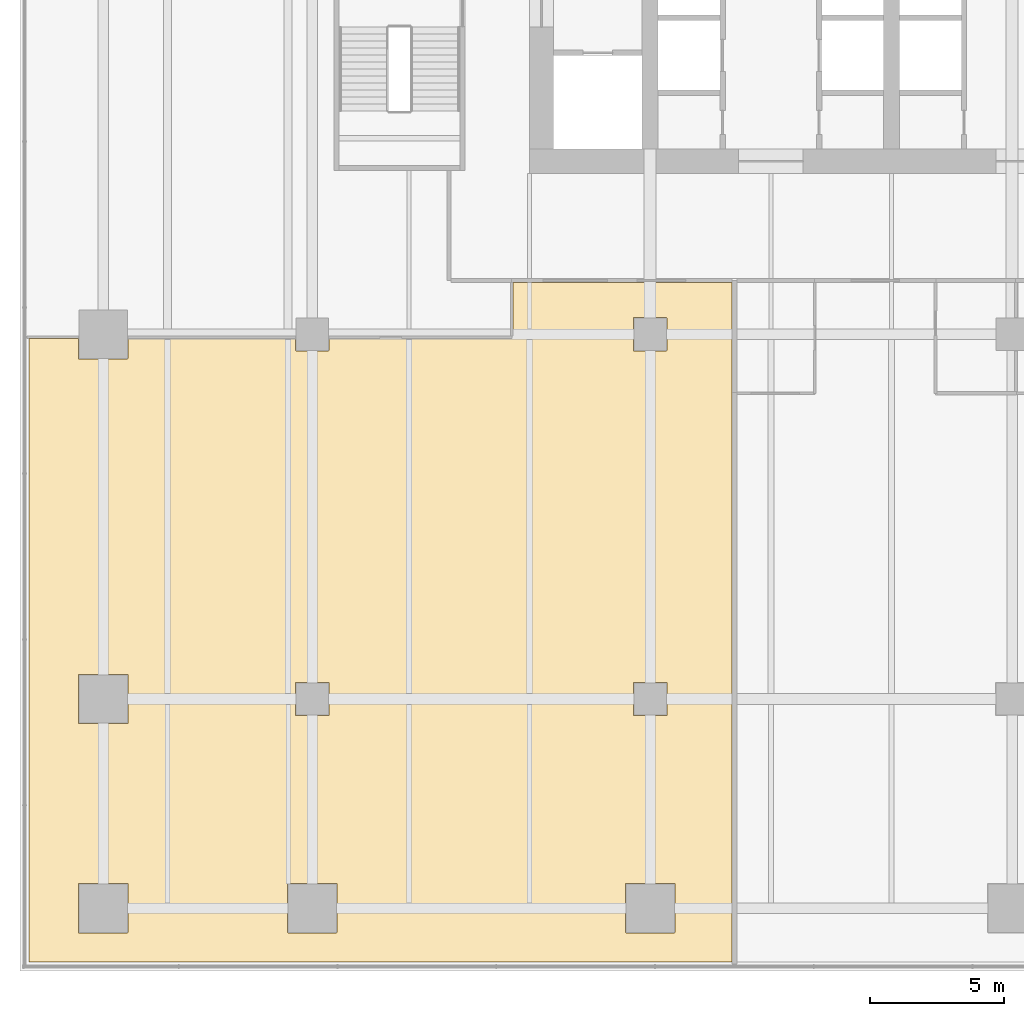
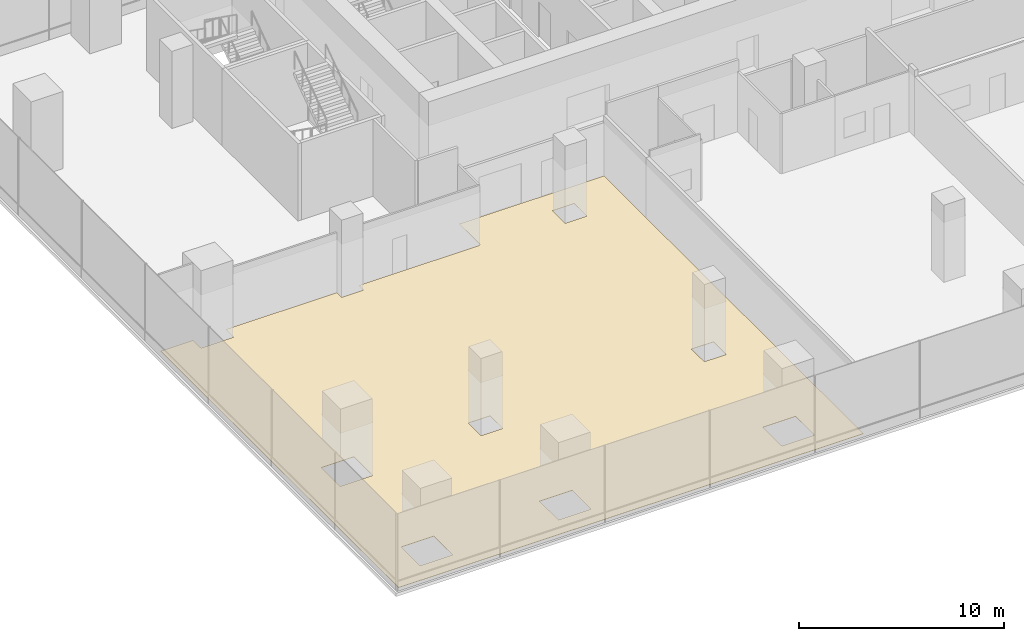
# One storey, part 23 of 28: 1 covering.
"""IFC4 building model written with IfcOpenShell, lengths in metres."""

from ifc_helpers import new_model, si_unit, direction, frame, origin, place, context, subcontext, project, spatial, polyline, outline, extrude, material, layer, layer_set, type_object, element, save


model = new_model("IFC4")

# Units and contexts
model_context = context("Model", 3, precision=1e-05, world=origin(), true_north=direction((0.0, 1.0)))
body_context = subcontext(model_context, "Body", "Model", "MODEL_VIEW")
ifc_project = project(units=[si_unit("LENGTHUNIT", "METRE"), si_unit("AREAUNIT", "SQUARE_METRE"), si_unit("VOLUMEUNIT", "CUBIC_METRE"), si_unit("PLANEANGLEUNIT", "RADIAN"), si_unit("MASSUNIT", "GRAM", prefix="KILO")], contexts=[model_context])

# Site, building, storey
site_placement = place(None, origin())
site = spatial("IfcSite", under=ifc_project, at=site_placement, CompositionType="ELEMENT")
building_placement = place(site_placement, origin())
building = spatial("IfcBuilding", under=site, at=building_placement, Name="Rattan Terrace Tower", CompositionType="ELEMENT")
storey_placement = place(building_placement, frame((0.0, 0.0, 17.39990234375)))
storey = spatial("IfcBuildingStorey", under=building, at=storey_placement, Name="L03", CompositionType="ELEMENT", Elevation=17.39990234375)

# Covering
ifc_material = material(Name="Polished limestone", Category="masonry")
ifc_layer = layer(ifc_material, 0.02001953125)
ifc_layer_set = layer_set([ifc_layer], Name="Lobby Floor Finish Stone 20")
covering_type = type_object("IfcCoveringType", Name="Lobby Floor Finish Stone 20", PredefinedType="FLOORING", material=ifc_layer_set)
covering_placement = place(storey_placement, origin())
element("IfcCovering", 1, at=covering_placement, inside=storey, type_object=covering_type, Name="Floor finish L03-105", PredefinedType="FLOORING", context=body_context, shape_type="SweptSolid", body=[
    extrude(outline(polyline([(-34.820068359375, -13.656005859375), (-36.659912109375, -13.656005859375), (-36.659912109375, -36.909912109375), (-10.449951171875, -36.909912109375), (-10.449951171875, -11.574951171875), (-18.610107421875, -11.574951171875), (-18.610107421875, -13.60595703125), (-18.659912109375, -13.60595703125), (-18.659912109375, -13.656005859375), (-25.47998046875, -13.656005859375), (-25.47998046875, -14.10009765625), (-25.47998046875, -14.10205078125), (-25.47998046875, -14.10400390625), (-25.48095703125, -14.10595703125), (-25.48095703125, -14.10791015625), (-25.48193359375, -14.110107421875), (-25.48291015625, -14.111083984375), (-25.48388671875, -14.113037109375), (-25.486083984375, -14.114013671875), (-25.487060546875, -14.115966796875), (-25.489013671875, -14.116943359375), (-25.489990234375, -14.117919921875), (-25.491943359375, -14.118896484375), (-25.493896484375, -14.118896484375), (-25.49609375, -14.1201171875), (-25.498046875, -14.1201171875), (-25.5, -14.1201171875), (-26.699951171875, -14.1201171875), (-26.701904296875, -14.1201171875), (-26.7041015625, -14.1201171875), (-26.7060546875, -14.118896484375), (-26.7080078125, -14.118896484375), (-26.7099609375, -14.117919921875), (-26.7109375, -14.116943359375), (-26.712890625, -14.115966796875), (-26.714111328125, -14.114013671875), (-26.716064453125, -14.113037109375), (-26.717041015625, -14.111083984375), (-26.718017578125, -14.110107421875), (-26.718994140625, -14.10791015625), (-26.718994140625, -14.10595703125), (-26.719970703125, -14.10400390625), (-26.719970703125, -14.10205078125), (-26.719970703125, -14.10009765625), (-26.719970703125, -13.656005859375), (-32.97998046875, -13.656005859375), (-32.97998046875, -14.39990234375), (-32.97998046875, -14.402099609375), (-32.97998046875, -14.404052734375), (-32.98095703125, -14.406005859375), (-32.98095703125, -14.407958984375), (-32.98193359375, -14.409912109375), (-32.98291015625, -14.410888671875), (-32.98388671875, -14.4130859375), (-32.986083984375, -14.4140625), (-32.987060546875, -14.416015625), (-32.989013671875, -14.4169921875), (-32.989990234375, -14.41796875), (-32.991943359375, -14.4189453125), (-32.993896484375, -14.4189453125), (-32.99609375, -14.419921875), (-32.998046875, -14.419921875), (-33.0, -14.419921875), (-34.800048828125, -14.419921875), (-34.802001953125, -14.419921875), (-34.803955078125, -14.419921875), (-34.805908203125, -14.4189453125), (-34.80810546875, -14.4189453125), (-34.81005859375, -14.41796875), (-34.81103515625, -14.4169921875), (-34.81298828125, -14.416015625), (-34.81396484375, -14.4140625), (-34.81591796875, -14.4130859375), (-34.81689453125, -14.410888671875), (-34.818115234375, -14.409912109375), (-34.819091796875, -14.407958984375), (-34.819091796875, -14.406005859375), (-34.820068359375, -14.404052734375), (-34.820068359375, -14.402099609375), (-34.820068359375, -14.39990234375), (-34.820068359375, -13.656005859375)]), holes=[polyline([(-14.409912109375, -35.818115234375), (-14.407958984375, -35.819091796875), (-14.406005859375, -35.819091796875), (-14.404052734375, -35.820068359375), (-14.402099609375, -35.820068359375), (-14.39990234375, -35.820068359375), (-12.60009765625, -35.820068359375), (-12.597900390625, -35.820068359375), (-12.595947265625, -35.820068359375), (-12.593994140625, -35.819091796875), (-12.592041015625, -35.819091796875), (-12.590087890625, -35.818115234375), (-12.589111328125, -35.81689453125), (-12.5869140625, -35.81591796875), (-12.5859375, -35.81396484375), (-12.583984375, -35.81298828125), (-12.5830078125, -35.81103515625), (-12.58203125, -35.81005859375), (-12.5810546875, -35.80810546875), (-12.5810546875, -35.805908203125), (-12.580078125, -35.803955078125), (-12.580078125, -35.802001953125), (-12.580078125, -35.800048828125), (-12.580078125, -34.0), (-12.580078125, -33.998046875), (-12.580078125, -33.99609375), (-12.5810546875, -33.993896484375), (-12.5810546875, -33.991943359375), (-12.58203125, -33.989990234375), (-12.5830078125, -33.989013671875), (-12.583984375, -33.987060546875), (-12.5859375, -33.986083984375), (-12.5869140625, -33.98388671875), (-12.589111328125, -33.98291015625), (-12.590087890625, -33.98193359375), (-12.592041015625, -33.98095703125), (-12.593994140625, -33.98095703125), (-12.595947265625, -33.97998046875), (-12.597900390625, -33.97998046875), (-12.60009765625, -33.97998046875), (-14.39990234375, -33.97998046875), (-14.402099609375, -33.97998046875), (-14.404052734375, -33.97998046875), (-14.406005859375, -33.98095703125), (-14.407958984375, -33.98095703125), (-14.409912109375, -33.98193359375), (-14.410888671875, -33.98291015625), (-14.4130859375, -33.98388671875), (-14.4140625, -33.986083984375), (-14.416015625, -33.987060546875), (-14.4169921875, -33.989013671875), (-14.41796875, -33.989990234375), (-14.4189453125, -33.991943359375), (-14.4189453125, -33.993896484375), (-14.419921875, -33.99609375), (-14.419921875, -33.998046875), (-14.419921875, -34.0), (-14.419921875, -35.800048828125), (-14.419921875, -35.802001953125), (-14.419921875, -35.803955078125), (-14.4189453125, -35.805908203125), (-14.4189453125, -35.80810546875), (-14.41796875, -35.81005859375), (-14.4169921875, -35.81103515625), (-14.416015625, -35.81298828125), (-14.4140625, -35.81396484375), (-14.4130859375, -35.81591796875), (-14.410888671875, -35.81689453125), (-14.409912109375, -35.818115234375)]), polyline([(-14.110107421875, -27.718017578125), (-14.10791015625, -27.718994140625), (-14.10595703125, -27.718994140625), (-14.10400390625, -27.719970703125), (-14.10205078125, -27.719970703125), (-14.10009765625, -27.719970703125), (-12.89990234375, -27.719970703125), (-12.89794921875, -27.719970703125), (-12.89599609375, -27.719970703125), (-12.89404296875, -27.718994140625), (-12.89208984375, -27.718994140625), (-12.889892578125, -27.718017578125), (-12.888916015625, -27.717041015625), (-12.886962890625, -27.716064453125), (-12.885986328125, -27.714111328125), (-12.884033203125, -27.712890625), (-12.883056640625, -27.7109375), (-12.882080078125, -27.7099609375), (-12.881103515625, -27.7080078125), (-12.881103515625, -27.7060546875), (-12.8798828125, -27.7041015625), (-12.8798828125, -27.701904296875), (-12.8798828125, -27.699951171875), (-12.8798828125, -26.5), (-12.8798828125, -26.498046875), (-12.8798828125, -26.49609375), (-12.881103515625, -26.493896484375), (-12.881103515625, -26.491943359375), (-12.882080078125, -26.489990234375), (-12.883056640625, -26.489013671875), (-12.884033203125, -26.487060546875), (-12.885986328125, -26.486083984375), (-12.886962890625, -26.48388671875), (-12.888916015625, -26.48291015625), (-12.889892578125, -26.48193359375), (-12.89208984375, -26.48095703125), (-12.89404296875, -26.48095703125), (-12.89599609375, -26.47998046875), (-12.89794921875, -26.47998046875), (-12.89990234375, -26.47998046875), (-14.10009765625, -26.47998046875), (-14.10205078125, -26.47998046875), (-14.10400390625, -26.47998046875), (-14.10595703125, -26.48095703125), (-14.10791015625, -26.48095703125), (-14.110107421875, -26.48193359375), (-14.111083984375, -26.48291015625), (-14.113037109375, -26.48388671875), (-14.114013671875, -26.486083984375), (-14.115966796875, -26.487060546875), (-14.116943359375, -26.489013671875), (-14.117919921875, -26.489990234375), (-14.118896484375, -26.491943359375), (-14.118896484375, -26.493896484375), (-14.1201171875, -26.49609375), (-14.1201171875, -26.498046875), (-14.1201171875, -26.5), (-14.1201171875, -27.699951171875), (-14.1201171875, -27.701904296875), (-14.1201171875, -27.7041015625), (-14.118896484375, -27.7060546875), (-14.118896484375, -27.7080078125), (-14.117919921875, -27.7099609375), (-14.116943359375, -27.7109375), (-14.115966796875, -27.712890625), (-14.114013671875, -27.714111328125), (-14.113037109375, -27.716064453125), (-14.111083984375, -27.717041015625), (-14.110107421875, -27.718017578125)]), polyline([(-14.116943359375, -14.111083984375), (-14.115966796875, -14.113037109375), (-14.114013671875, -14.114013671875), (-14.113037109375, -14.115966796875), (-14.111083984375, -14.116943359375), (-14.110107421875, -14.117919921875), (-14.10791015625, -14.118896484375), (-14.10595703125, -14.118896484375), (-14.10400390625, -14.1201171875), (-14.10205078125, -14.1201171875), (-14.10009765625, -14.1201171875), (-12.89990234375, -14.1201171875), (-12.89794921875, -14.1201171875), (-12.89599609375, -14.1201171875), (-12.89404296875, -14.118896484375), (-12.89208984375, -14.118896484375), (-12.889892578125, -14.117919921875), (-12.888916015625, -14.116943359375), (-12.886962890625, -14.115966796875), (-12.885986328125, -14.114013671875), (-12.884033203125, -14.113037109375), (-12.883056640625, -14.111083984375), (-12.882080078125, -14.110107421875), (-12.881103515625, -14.10791015625), (-12.881103515625, -14.10595703125), (-12.8798828125, -14.10400390625), (-12.8798828125, -14.10205078125), (-12.8798828125, -14.10009765625), (-12.8798828125, -12.89990234375), (-12.8798828125, -12.89794921875), (-12.8798828125, -12.89599609375), (-12.881103515625, -12.89404296875), (-12.881103515625, -12.89208984375), (-12.882080078125, -12.889892578125), (-12.883056640625, -12.888916015625), (-12.884033203125, -12.886962890625), (-12.885986328125, -12.885986328125), (-12.886962890625, -12.884033203125), (-12.888916015625, -12.883056640625), (-12.889892578125, -12.882080078125), (-12.89208984375, -12.881103515625), (-12.89404296875, -12.881103515625), (-12.89599609375, -12.8798828125), (-12.89794921875, -12.8798828125), (-12.89990234375, -12.8798828125), (-14.10009765625, -12.8798828125), (-14.10205078125, -12.8798828125), (-14.10400390625, -12.8798828125), (-14.10595703125, -12.881103515625), (-14.10791015625, -12.881103515625), (-14.110107421875, -12.882080078125), (-14.111083984375, -12.883056640625), (-14.113037109375, -12.884033203125), (-14.114013671875, -12.885986328125), (-14.115966796875, -12.886962890625), (-14.116943359375, -12.888916015625), (-14.117919921875, -12.889892578125), (-14.118896484375, -12.89208984375), (-14.118896484375, -12.89404296875), (-14.1201171875, -12.89599609375), (-14.1201171875, -12.89794921875), (-14.1201171875, -12.89990234375), (-14.1201171875, -14.10009765625), (-14.1201171875, -14.10205078125), (-14.1201171875, -14.10400390625), (-14.118896484375, -14.10595703125), (-14.118896484375, -14.10791015625), (-14.117919921875, -14.110107421875), (-14.116943359375, -14.111083984375)]), polyline([(-27.010009765625, -35.818115234375), (-27.008056640625, -35.819091796875), (-27.006103515625, -35.819091796875), (-27.00390625, -35.820068359375), (-27.001953125, -35.820068359375), (-27.0, -35.820068359375), (-25.199951171875, -35.820068359375), (-25.197998046875, -35.820068359375), (-25.196044921875, -35.820068359375), (-25.194091796875, -35.819091796875), (-25.19189453125, -35.819091796875), (-25.18994140625, -35.818115234375), (-25.18896484375, -35.81689453125), (-25.18701171875, -35.81591796875), (-25.18603515625, -35.81396484375), (-25.18408203125, -35.81298828125), (-25.18310546875, -35.81103515625), (-25.181884765625, -35.81005859375), (-25.180908203125, -35.80810546875), (-25.180908203125, -35.805908203125), (-25.179931640625, -35.803955078125), (-25.179931640625, -35.802001953125), (-25.179931640625, -35.800048828125), (-25.179931640625, -34.0), (-25.179931640625, -33.998046875), (-25.179931640625, -33.99609375), (-25.180908203125, -33.993896484375), (-25.180908203125, -33.991943359375), (-25.181884765625, -33.989990234375), (-25.18310546875, -33.989013671875), (-25.18408203125, -33.987060546875), (-25.18603515625, -33.986083984375), (-25.18701171875, -33.98388671875), (-25.18896484375, -33.98291015625), (-25.18994140625, -33.98193359375), (-25.19189453125, -33.98095703125), (-25.194091796875, -33.98095703125), (-25.196044921875, -33.97998046875), (-25.197998046875, -33.97998046875), (-25.199951171875, -33.97998046875), (-27.0, -33.97998046875), (-27.001953125, -33.97998046875), (-27.00390625, -33.97998046875), (-27.006103515625, -33.98095703125), (-27.008056640625, -33.98095703125), (-27.010009765625, -33.98193359375), (-27.010986328125, -33.98291015625), (-27.012939453125, -33.98388671875), (-27.013916015625, -33.986083984375), (-27.01611328125, -33.987060546875), (-27.01708984375, -33.989013671875), (-27.01806640625, -33.989990234375), (-27.01904296875, -33.991943359375), (-27.01904296875, -33.993896484375), (-27.02001953125, -33.99609375), (-27.02001953125, -33.998046875), (-27.02001953125, -34.0), (-27.02001953125, -35.800048828125), (-27.02001953125, -35.802001953125), (-27.02001953125, -35.803955078125), (-27.01904296875, -35.805908203125), (-27.01904296875, -35.80810546875), (-27.01806640625, -35.81005859375), (-27.01708984375, -35.81103515625), (-27.01611328125, -35.81298828125), (-27.013916015625, -35.81396484375), (-27.012939453125, -35.81591796875), (-27.010986328125, -35.81689453125), (-27.010009765625, -35.818115234375)]), polyline([(-26.7099609375, -27.718017578125), (-26.7080078125, -27.718994140625), (-26.7060546875, -27.718994140625), (-26.7041015625, -27.719970703125), (-26.701904296875, -27.719970703125), (-26.699951171875, -27.719970703125), (-25.5, -27.719970703125), (-25.498046875, -27.719970703125), (-25.49609375, -27.719970703125), (-25.493896484375, -27.718994140625), (-25.491943359375, -27.718994140625), (-25.489990234375, -27.718017578125), (-25.489013671875, -27.717041015625), (-25.487060546875, -27.716064453125), (-25.486083984375, -27.714111328125), (-25.48388671875, -27.712890625), (-25.48291015625, -27.7109375), (-25.48193359375, -27.7099609375), (-25.48095703125, -27.7080078125), (-25.48095703125, -27.7060546875), (-25.47998046875, -27.7041015625), (-25.47998046875, -27.701904296875), (-25.47998046875, -27.699951171875), (-25.47998046875, -26.5), (-25.47998046875, -26.498046875), (-25.47998046875, -26.49609375), (-25.48095703125, -26.493896484375), (-25.48095703125, -26.491943359375), (-25.48193359375, -26.489990234375), (-25.48291015625, -26.489013671875), (-25.48388671875, -26.487060546875), (-25.486083984375, -26.486083984375), (-25.487060546875, -26.48388671875), (-25.489013671875, -26.48291015625), (-25.489990234375, -26.48193359375), (-25.491943359375, -26.48095703125), (-25.493896484375, -26.48095703125), (-25.49609375, -26.47998046875), (-25.498046875, -26.47998046875), (-25.5, -26.47998046875), (-26.699951171875, -26.47998046875), (-26.701904296875, -26.47998046875), (-26.7041015625, -26.47998046875), (-26.7060546875, -26.48095703125), (-26.7080078125, -26.48095703125), (-26.7099609375, -26.48193359375), (-26.7109375, -26.48291015625), (-26.712890625, -26.48388671875), (-26.714111328125, -26.486083984375), (-26.716064453125, -26.487060546875), (-26.717041015625, -26.489013671875), (-26.718017578125, -26.489990234375), (-26.718994140625, -26.491943359375), (-26.718994140625, -26.493896484375), (-26.719970703125, -26.49609375), (-26.719970703125, -26.498046875), (-26.719970703125, -26.5), (-26.719970703125, -27.699951171875), (-26.719970703125, -27.701904296875), (-26.719970703125, -27.7041015625), (-26.718994140625, -27.7060546875), (-26.718994140625, -27.7080078125), (-26.718017578125, -27.7099609375), (-26.717041015625, -27.7109375), (-26.716064453125, -27.712890625), (-26.714111328125, -27.714111328125), (-26.712890625, -27.716064453125), (-26.7109375, -27.717041015625), (-26.7099609375, -27.718017578125)]), polyline([(-32.98193359375, -28.010009765625), (-32.98095703125, -28.008056640625), (-32.98095703125, -28.006103515625), (-32.97998046875, -28.00390625), (-32.97998046875, -28.001953125), (-32.97998046875, -28.0), (-32.97998046875, -26.199951171875), (-32.97998046875, -26.197998046875), (-32.97998046875, -26.196044921875), (-32.98095703125, -26.194091796875), (-32.98095703125, -26.19189453125), (-32.98193359375, -26.18994140625), (-32.98291015625, -26.18896484375), (-32.98388671875, -26.18701171875), (-32.986083984375, -26.18603515625), (-32.987060546875, -26.18408203125), (-32.989013671875, -26.18310546875), (-32.989990234375, -26.181884765625), (-32.991943359375, -26.180908203125), (-32.993896484375, -26.180908203125), (-32.99609375, -26.179931640625), (-32.998046875, -26.179931640625), (-33.0, -26.179931640625), (-34.800048828125, -26.179931640625), (-34.802001953125, -26.179931640625), (-34.803955078125, -26.179931640625), (-34.805908203125, -26.180908203125), (-34.80810546875, -26.180908203125), (-34.81005859375, -26.181884765625), (-34.81103515625, -26.18310546875), (-34.81298828125, -26.18408203125), (-34.81396484375, -26.18603515625), (-34.81591796875, -26.18701171875), (-34.81689453125, -26.18896484375), (-34.818115234375, -26.18994140625), (-34.819091796875, -26.19189453125), (-34.819091796875, -26.194091796875), (-34.820068359375, -26.196044921875), (-34.820068359375, -26.197998046875), (-34.820068359375, -26.199951171875), (-34.820068359375, -28.0), (-34.820068359375, -28.001953125), (-34.820068359375, -28.00390625), (-34.819091796875, -28.006103515625), (-34.819091796875, -28.008056640625), (-34.818115234375, -28.010009765625), (-34.81689453125, -28.010986328125), (-34.81591796875, -28.012939453125), (-34.81396484375, -28.013916015625), (-34.81298828125, -28.01611328125), (-34.81103515625, -28.01708984375), (-34.81005859375, -28.01806640625), (-34.80810546875, -28.01904296875), (-34.805908203125, -28.01904296875), (-34.803955078125, -28.02001953125), (-34.802001953125, -28.02001953125), (-34.800048828125, -28.02001953125), (-33.0, -28.02001953125), (-32.998046875, -28.02001953125), (-32.99609375, -28.02001953125), (-32.993896484375, -28.01904296875), (-32.991943359375, -28.01904296875), (-32.989990234375, -28.01806640625), (-32.989013671875, -28.01708984375), (-32.987060546875, -28.01611328125), (-32.986083984375, -28.013916015625), (-32.98388671875, -28.012939453125), (-32.98291015625, -28.010986328125), (-32.98193359375, -28.010009765625)]), polyline([(-32.99609375, -35.820068359375), (-32.993896484375, -35.819091796875), (-32.991943359375, -35.819091796875), (-32.989990234375, -35.818115234375), (-32.989013671875, -35.81689453125), (-32.987060546875, -35.81591796875), (-32.986083984375, -35.81396484375), (-32.98388671875, -35.81298828125), (-32.98291015625, -35.81103515625), (-32.98193359375, -35.81005859375), (-32.98095703125, -35.80810546875), (-32.98095703125, -35.805908203125), (-32.97998046875, -35.803955078125), (-32.97998046875, -35.802001953125), (-32.97998046875, -35.800048828125), (-32.97998046875, -34.0), (-32.97998046875, -33.998046875), (-32.97998046875, -33.99609375), (-32.98095703125, -33.993896484375), (-32.98095703125, -33.991943359375), (-32.98193359375, -33.989990234375), (-32.98291015625, -33.989013671875), (-32.98388671875, -33.987060546875), (-32.986083984375, -33.986083984375), (-32.987060546875, -33.98388671875), (-32.989013671875, -33.98291015625), (-32.989990234375, -33.98193359375), (-32.991943359375, -33.98095703125), (-32.993896484375, -33.98095703125), (-32.99609375, -33.97998046875), (-32.998046875, -33.97998046875), (-33.0, -33.97998046875), (-34.800048828125, -33.97998046875), (-34.802001953125, -33.97998046875), (-34.803955078125, -33.97998046875), (-34.805908203125, -33.98095703125), (-34.80810546875, -33.98095703125), (-34.81005859375, -33.98193359375), (-34.81103515625, -33.98291015625), (-34.81298828125, -33.98388671875), (-34.81396484375, -33.986083984375), (-34.81591796875, -33.987060546875), (-34.81689453125, -33.989013671875), (-34.818115234375, -33.989990234375), (-34.819091796875, -33.991943359375), (-34.819091796875, -33.993896484375), (-34.820068359375, -33.99609375), (-34.820068359375, -33.998046875), (-34.820068359375, -34.0), (-34.820068359375, -35.800048828125), (-34.820068359375, -35.802001953125), (-34.820068359375, -35.803955078125), (-34.819091796875, -35.805908203125), (-34.819091796875, -35.80810546875), (-34.818115234375, -35.81005859375), (-34.81689453125, -35.81103515625), (-34.81591796875, -35.81298828125), (-34.81396484375, -35.81396484375), (-34.81298828125, -35.81591796875), (-34.81103515625, -35.81689453125), (-34.81005859375, -35.818115234375), (-34.80810546875, -35.819091796875), (-34.805908203125, -35.819091796875), (-34.803955078125, -35.820068359375), (-34.802001953125, -35.820068359375), (-34.800048828125, -35.820068359375), (-33.0, -35.820068359375), (-32.998046875, -35.820068359375), (-32.99609375, -35.820068359375)])]), origin(), (0.0, 0.0, 1.0), 0.02001953125),
])

save(model, "model.ifc")
